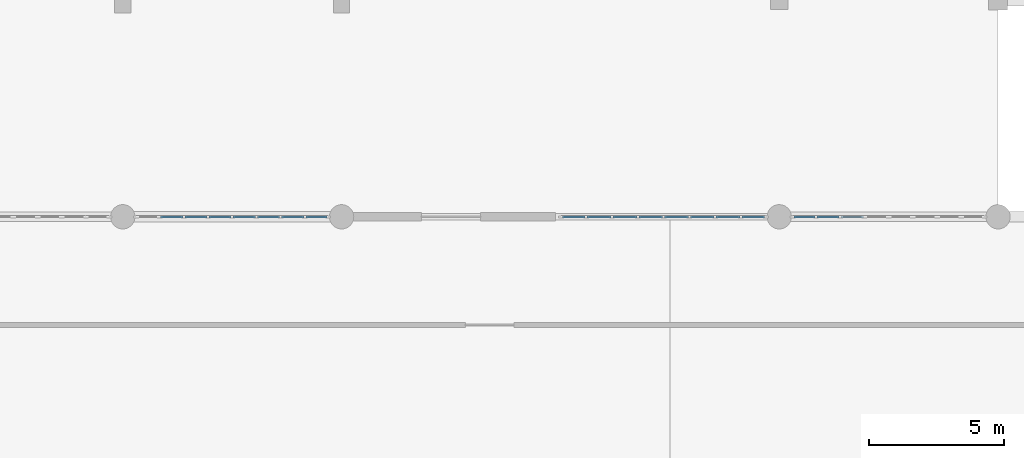
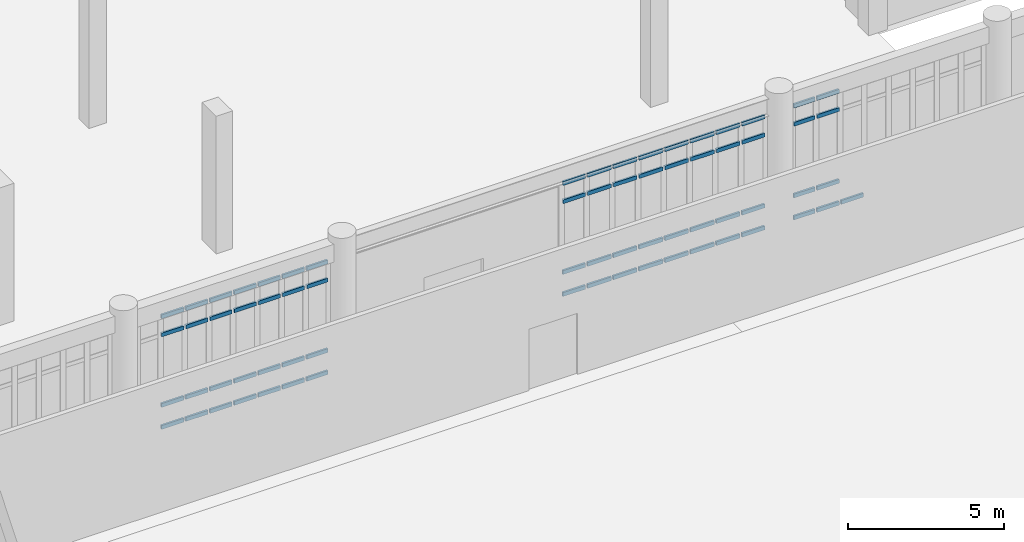
# One storey, part 21 of 62: 69 members, 3 elements without a shape of their own.
"""IFC4 building model written with IfcOpenShell, lengths in metres."""

import ifcopenshell
import ifcopenshell.guid

model = None  # the IFC model being written
_history = None  # IfcOwnerHistory: only IFC2X3 demands one
_inside = {}  # id of a spatial element -> (the spatial element, [elements in it])
_under = {}  # id of a project, library or spatial element -> (it, [spatial elements below it])
_declared = {}  # id of a project -> (the project, [libraries it declares])
_typed = {}  # id of a type object -> (the type object, [elements of that type])
_made_of = {}  # id of a material, layer set ... -> (it, [elements and type objects made of it])


def new_model(schema):
    """Start an empty IFC model of exactly this schema.

    Asked for "IFC4X3", IfcOpenShell would pick the latest addendum, in which some entities
    have other attributes; the version numbers below select the first issue.
    IFC2X3 requires an IfcOwnerHistory on every rooted entity: one is made here for all.
    """
    global model, _history
    if schema == "IFC4X3":
        model = ifcopenshell.file(schema_version=(4, 3, 0, 0))
    else:
        model = ifcopenshell.file(schema=schema)
    _inside.clear()
    _under.clear()
    _declared.clear()
    _typed.clear()
    _made_of.clear()
    _history = None
    if model.schema == "IFC2X3":
        org = make("IfcOrganization", Name="unknown")
        user = make(
            "IfcPersonAndOrganization",
            ThePerson=make("IfcPerson", FamilyName="unknown"),
            TheOrganization=org,
        )
        app = make(
            "IfcApplication",
            ApplicationDeveloper=org,
            Version="unknown",
            ApplicationFullName="unknown",
            ApplicationIdentifier="unknown",
        )
        _history = make(
            "IfcOwnerHistory",
            OwningUser=user,
            OwningApplication=app,
            ChangeAction="ADDED",
            CreationDate=0,
        )
    return model


def make(cls, **values):
    """One entity of the class cls with the attributes given. An attribute that is None is left unset."""
    return model.create_entity(
        cls, **{name: value for name, value in values.items() if value is not None}
    )


def rooted(cls, **values):
    """An entity with a GlobalId (a new one), such as an element, a storey or a relation."""
    return make(cls, GlobalId=ifcopenshell.guid.new(), OwnerHistory=_history, **values)


def si_unit(unit_type, name, prefix=None):
    """IfcSIUnit, for example si_unit("LENGTHUNIT", "METRE", prefix="MILLI")."""
    return make("IfcSIUnit", UnitType=unit_type, Prefix=prefix, Name=name)


def assignment(units):
    """IfcUnitAssignment: the units of a project."""
    return None if units is None else make("IfcUnitAssignment", Units=units)


def point(xyz):
    """IfcCartesianPoint."""
    return None if xyz is None else make("IfcCartesianPoint", Coordinates=xyz)


def direction(xyz):
    """IfcDirection."""
    return None if xyz is None else make("IfcDirection", DirectionRatios=xyz)


def frame(location, z_axis=None, x_axis=None):
    """IfcAxis2Placement3D, a coordinate frame: its origin and axes. An axis left out is left unset."""
    return make(
        "IfcAxis2Placement3D",
        Location=point(location),
        Axis=direction(z_axis),
        RefDirection=direction(x_axis),
    )


def frame_2d(location, x_axis=None):
    """IfcAxis2Placement2D, a coordinate frame in the plane: its origin and x axis."""
    return make(
        "IfcAxis2Placement2D", Location=point(location), RefDirection=direction(x_axis)
    )


def origin():
    """The frame at (0, 0, 0) with its axes left unset."""
    return frame((0.0, 0.0, 0.0))


def origin_2d():
    """The frame at (0, 0) in the plane with its x axis left unset."""
    return frame_2d((0.0, 0.0))


def place(relative_to, where):
    """IfcLocalPlacement: puts the frame where relative to a parent placement (None: the world)."""
    return make(
        "IfcLocalPlacement", PlacementRelTo=relative_to, RelativePlacement=where
    )


def context(
    kind, dimensions, precision=None, world=None, true_north=None, identifier=None
):
    """IfcGeometricRepresentationContext, for example the 3D "Model" context."""
    return make(
        "IfcGeometricRepresentationContext",
        ContextIdentifier=identifier,
        ContextType=kind,
        CoordinateSpaceDimension=dimensions,
        Precision=precision,
        WorldCoordinateSystem=world,
        TrueNorth=true_north,
    )


def subcontext(parent, identifier, kind, view, scale=None):
    """IfcGeometricRepresentationSubContext, for example "Body" below "Model"."""
    return make(
        "IfcGeometricRepresentationSubContext",
        ContextIdentifier=identifier,
        ContextType=kind,
        ParentContext=parent,
        TargetScale=scale,
        TargetView=view,
    )


def project(units=None, contexts=None):
    """IfcProject with its units and contexts."""
    return rooted(
        "IfcProject",
        Name="project",
        RepresentationContexts=contexts,
        UnitsInContext=assignment(units),
    )


def spatial(cls, under=None, at=None, **own):
    """A site, building, storey or space (cls), placed at a placement, below another one or the project."""
    s = rooted(cls, ObjectPlacement=at, **own)
    if under is not None:
        _under.setdefault(under.id(), (under, []))[1].append(s)
    return s


def profile(cls, at=None, kind="AREA", **sizes):
    """A parametric profile (cls). Its sizes go by their IFC names, for example OverallWidth=200.0."""
    return make(cls, ProfileType=kind, Position=at, **sizes)


def rectangle(**sizes):
    """IfcRectangleProfileDef."""
    return profile("IfcRectangleProfileDef", **sizes)


def extrude(swept, where, along, depth):
    """IfcExtrudedAreaSolid: the profile swept, set in the frame where, extruded along a direction by depth."""
    return make(
        "IfcExtrudedAreaSolid",
        SweptArea=swept,
        Position=where,
        ExtrudedDirection=direction(along),
        Depth=depth,
    )


def shape(context_of_items, identifier, shape_type, items):
    """IfcShapeRepresentation: the items that make up one representation, for example the "Body"."""
    return make(
        "IfcShapeRepresentation",
        ContextOfItems=context_of_items,
        RepresentationIdentifier=identifier,
        RepresentationType=shape_type,
        Items=items,
    )


def material(Name=None, Category=None):
    """IfcMaterial."""
    return make("IfcMaterial", Name=Name, Category=Category)


def material_profile(
    of_material, cross_section, Name=None, Category=None, Priority=None
):
    """IfcMaterialProfile: a cross section and its material."""
    return make(
        "IfcMaterialProfile",
        Name=Name,
        Material=of_material,
        Profile=cross_section,
        Priority=Priority,
        Category=Category,
    )


def profile_set(profiles, Name=None, composite=None):
    """IfcMaterialProfileSet."""
    return make(
        "IfcMaterialProfileSet",
        Name=Name,
        MaterialProfiles=profiles,
        CompositeProfile=composite,
    )


def made_of(thing, what):
    """Note that an element or type object is made of a material, layer set ...; save() writes the relation."""
    if what is not None:
        _made_of.setdefault(what.id(), (what, []))[1].append(thing)
    return thing


def type_object(cls, material=None, **own):
    """A type object (cls), such as IfcWallType, which elements share."""
    return made_of(rooted(cls, **own), material)


def element(
    cls,
    number,
    at=None,
    inside=None,
    cuts=None,
    type_object=None,
    material=None,
    context=None,
    identifier="Body",
    shape_type=None,
    held_by="IfcProductDefinitionShape",
    body=None,
    shapes=None,
    **own,
):
    """One element of the class cls, such as IfcWall. Its Tag is "e" and its number.

    at: its placement. inside: the storey or other place that contains it. cuts: it is an
    opening in that element (IfcRelVoidsElement). A single representation is given by context,
    identifier, shape_type and body (its items); several are given by shapes. held_by: the class
    of the entity that holds the representations. save() writes the other relations.
    """
    e = rooted(cls, Tag="e%d" % number, ObjectPlacement=at, **own)
    if body is not None:
        shapes = [shape(context, identifier, shape_type, body)]
    if shapes is not None:
        e.Representation = make(held_by, Representations=shapes)
    if inside is not None:
        _inside.setdefault(inside.id(), (inside, []))[1].append(e)
    if cuts is not None:
        rooted(
            "IfcRelVoidsElement", RelatingBuildingElement=cuts, RelatedOpeningElement=e
        )
    if type_object is not None:
        _typed.setdefault(type_object.id(), (type_object, []))[1].append(e)
    return made_of(e, material)


def aggregate(whole, parts):
    """IfcRelAggregates: a whole, such as a stair, and the parts it consists of."""
    return rooted("IfcRelAggregates", RelatingObject=whole, RelatedObjects=parts)


def save(model, path):
    """Write the relations noted so far, then the file.

    IfcRelAggregates (storeys below a building ...), IfcRelContainedInSpatialStructure (elements
    in a storey), IfcRelDefinesByType, IfcRelAssociatesMaterial and IfcRelDeclares: one each for
    every whole, place, type object, material and project.
    """
    for whole, parts in _under.values():
        aggregate(whole, parts)
    for where, things in _inside.values():
        rooted(
            "IfcRelContainedInSpatialStructure",
            RelatedElements=things,
            RelatingStructure=where,
        )
    for kind, things in _typed.values():
        rooted("IfcRelDefinesByType", RelatedObjects=things, RelatingType=kind)
    for what, things in _made_of.values():
        rooted("IfcRelAssociatesMaterial", RelatedObjects=things, RelatingMaterial=what)
    for by, libraries in _declared.values():
        rooted("IfcRelDeclares", RelatingContext=by, RelatedDefinitions=libraries)
    model.write(path)


model = new_model("IFC4")

# Units and contexts
model_context = context("Model", 3, precision=1e-05, world=origin(), true_north=direction((0.0, 1.0)))
body_context = subcontext(model_context, "Body", "Model", "MODEL_VIEW")
ifc_project = project(units=[si_unit("LENGTHUNIT", "METRE"), si_unit("AREAUNIT", "SQUARE_METRE"), si_unit("VOLUMEUNIT", "CUBIC_METRE"), si_unit("PLANEANGLEUNIT", "RADIAN"), si_unit("MASSUNIT", "GRAM", prefix="KILO")], contexts=[model_context])

# Site, building, storey
site_placement = place(None, origin())
site = spatial("IfcSite", under=ifc_project, at=site_placement, CompositionType="ELEMENT")
building_placement = place(site_placement, origin())
building = spatial("IfcBuilding", under=site, at=building_placement, Name="Tarnveldt Square Police Headquarters", CompositionType="ELEMENT")
storey_placement = place(building_placement, origin())
storey = spatial("IfcBuildingStorey", under=building, at=storey_placement, Name="L00", CompositionType="ELEMENT", Elevation=0.0)

# Curtain wall, members
ifc_material_1 = material(Name="Triple-glazed low-e laminated vision glass", Category="glass")
curtain_wall_type_1 = type_object("IfcCurtainWallType", Name="CW-CT-717x441", PredefinedType="USERDEFINED", material=ifc_material_1)
curtain_wall_1_placement = place(storey_placement, origin())
curtain_wall_1 = element("IfcCurtainWall", 1, at=curtain_wall_1_placement, inside=storey, type_object=curtain_wall_type_1, Name="L00 Curtain Wall CW-L00-015", ObjectType="GLAZED CURTAIN WALL", PredefinedType="USERDEFINED")
ifc_material_2 = material(Name="Thermally broken anodised aluminium 6063-T6", Category="aluminium")
ifc_material_profile = material_profile(ifc_material_2, rectangle(XDim=0.074951171875, YDim=0.14990234375, at=origin_2d()), Name="CW-T75x150")
ifc_profile_set = profile_set([ifc_material_profile], Name="Thermally broken anodised aluminium 6063-T6")
member_type = type_object("IfcMemberType", Name="CWT-75x150", PredefinedType="USERDEFINED", material=ifc_profile_set)
member_1_placement = place(storey_placement, frame((74.298828125, 48.0, 0.03759765625), z_axis=(1.0, 0.0, 0.0), x_axis=(0.0, 1.0, 0.0)))
member_1 = element("IfcMember", 2, at=member_1_placement, type_object=member_type, Name="CW-CT07 transom 2.1", ObjectType="TRANSOM", PredefinedType="USERDEFINED", context=body_context, shape_type="SweptSolid", body=[
    extrude(rectangle(XDim=0.074951171875, YDim=0.14990234375, at=origin_2d()), origin(), (0.0, 0.0, 1.0), 0.8212890625),
])
member_2_placement = place(storey_placement, frame((74.298828125, 48.0, 0.89990234375), z_axis=(1.0, 0.0, 0.0), x_axis=(0.0, 1.0, 0.0)))
member_2 = element("IfcMember", 3, at=member_2_placement, type_object=member_type, Name="CW-CT07 transom 2.2", ObjectType="TRANSOM", PredefinedType="USERDEFINED", context=body_context, shape_type="SweptSolid", body=[
    extrude(rectangle(XDim=0.074951171875, YDim=0.14990234375, at=origin_2d()), origin(), (0.0, 0.0, 1.0), 0.8212890625),
])
member_3_placement = place(storey_placement, frame((74.298828125, 48.0, 3.662109375), z_axis=(1.0, 0.0, 0.0), x_axis=(0.0, 1.0, 0.0)))
member_3 = element("IfcMember", 4, at=member_3_placement, type_object=member_type, Name="CW-CT07 transom 2.3", ObjectType="TRANSOM", PredefinedType="USERDEFINED", context=body_context, shape_type="SweptSolid", body=[
    extrude(rectangle(XDim=0.074951171875, YDim=0.14990234375, at=origin_2d()), origin(), (0.0, 0.0, 1.0), 0.8212890625),
])
member_4_placement = place(storey_placement, frame((74.298828125, 48.0, 4.37451171875), z_axis=(1.0, 0.0, 0.0), x_axis=(0.0, 1.0, 0.0)))
member_4 = element("IfcMember", 5, at=member_4_placement, type_object=member_type, Name="CW-CT07 transom 2.4", ObjectType="TRANSOM", PredefinedType="USERDEFINED", context=body_context, shape_type="SweptSolid", body=[
    extrude(rectangle(XDim=0.074951171875, YDim=0.14990234375, at=origin_2d()), origin(), (0.0, 0.0, 1.0), 0.8212890625),
])
member_5_placement = place(storey_placement, frame((75.195068359375, 48.0, 0.03759765625), z_axis=(1.0, 0.0, 0.0), x_axis=(0.0, 1.0, 0.0)))
member_5 = element("IfcMember", 6, at=member_5_placement, type_object=member_type, Name="CW-CT07 transom 3.1", ObjectType="TRANSOM", PredefinedType="USERDEFINED", context=body_context, shape_type="SweptSolid", body=[
    extrude(rectangle(XDim=0.074951171875, YDim=0.14990234375, at=origin_2d()), origin(), (0.0, 0.0, 1.0), 0.8212890625),
])
member_6_placement = place(storey_placement, frame((75.195068359375, 48.0, 0.89990234375), z_axis=(1.0, 0.0, 0.0), x_axis=(0.0, 1.0, 0.0)))
member_6 = element("IfcMember", 7, at=member_6_placement, type_object=member_type, Name="CW-CT07 transom 3.2", ObjectType="TRANSOM", PredefinedType="USERDEFINED", context=body_context, shape_type="SweptSolid", body=[
    extrude(rectangle(XDim=0.074951171875, YDim=0.14990234375, at=origin_2d()), origin(), (0.0, 0.0, 1.0), 0.8212890625),
])
member_7_placement = place(storey_placement, frame((75.195068359375, 48.0, 3.662109375), z_axis=(1.0, 0.0, 0.0), x_axis=(0.0, 1.0, 0.0)))
member_7 = element("IfcMember", 8, at=member_7_placement, type_object=member_type, Name="CW-CT07 transom 3.3", ObjectType="TRANSOM", PredefinedType="USERDEFINED", context=body_context, shape_type="SweptSolid", body=[
    extrude(rectangle(XDim=0.074951171875, YDim=0.14990234375, at=origin_2d()), origin(), (0.0, 0.0, 1.0), 0.8212890625),
])
member_8_placement = place(storey_placement, frame((75.195068359375, 48.0, 4.37451171875), z_axis=(1.0, 0.0, 0.0), x_axis=(0.0, 1.0, 0.0)))
member_8 = element("IfcMember", 9, at=member_8_placement, type_object=member_type, Name="CW-CT07 transom 3.4", ObjectType="TRANSOM", PredefinedType="USERDEFINED", context=body_context, shape_type="SweptSolid", body=[
    extrude(rectangle(XDim=0.074951171875, YDim=0.14990234375, at=origin_2d()), origin(), (0.0, 0.0, 1.0), 0.8212890625),
])
member_9_placement = place(storey_placement, frame((76.09130859375, 48.0, 0.03759765625), z_axis=(1.0, 0.0, 0.0), x_axis=(0.0, 1.0, 0.0)))
member_9 = element("IfcMember", 10, at=member_9_placement, type_object=member_type, Name="CW-CT07 transom 4.1", ObjectType="TRANSOM", PredefinedType="USERDEFINED", context=body_context, shape_type="SweptSolid", body=[
    extrude(rectangle(XDim=0.074951171875, YDim=0.14990234375, at=origin_2d()), origin(), (0.0, 0.0, 1.0), 0.8212890625),
])
member_10_placement = place(storey_placement, frame((76.09130859375, 48.0, 0.89990234375), z_axis=(1.0, 0.0, 0.0), x_axis=(0.0, 1.0, 0.0)))
member_10 = element("IfcMember", 11, at=member_10_placement, type_object=member_type, Name="CW-CT07 transom 4.2", ObjectType="TRANSOM", PredefinedType="USERDEFINED", context=body_context, shape_type="SweptSolid", body=[
    extrude(rectangle(XDim=0.074951171875, YDim=0.14990234375, at=origin_2d()), origin(), (0.0, 0.0, 1.0), 0.8212890625),
])
member_11_placement = place(storey_placement, frame((76.09130859375, 48.0, 3.662109375), z_axis=(1.0, 0.0, 0.0), x_axis=(0.0, 1.0, 0.0)))
member_11 = element("IfcMember", 12, at=member_11_placement, type_object=member_type, Name="CW-CT07 transom 4.3", ObjectType="TRANSOM", PredefinedType="USERDEFINED", context=body_context, shape_type="SweptSolid", body=[
    extrude(rectangle(XDim=0.074951171875, YDim=0.14990234375, at=origin_2d()), origin(), (0.0, 0.0, 1.0), 0.8212890625),
])
member_12_placement = place(storey_placement, frame((76.09130859375, 48.0, 4.37451171875), z_axis=(1.0, 0.0, 0.0), x_axis=(0.0, 1.0, 0.0)))
member_12 = element("IfcMember", 13, at=member_12_placement, type_object=member_type, Name="CW-CT07 transom 4.4", ObjectType="TRANSOM", PredefinedType="USERDEFINED", context=body_context, shape_type="SweptSolid", body=[
    extrude(rectangle(XDim=0.074951171875, YDim=0.14990234375, at=origin_2d()), origin(), (0.0, 0.0, 1.0), 0.8212890625),
])
member_13_placement = place(storey_placement, frame((76.987548828125, 48.0, 0.03759765625), z_axis=(1.0, 0.0, 0.0), x_axis=(0.0, 1.0, 0.0)))
member_13 = element("IfcMember", 14, at=member_13_placement, type_object=member_type, Name="CW-CT07 transom 5.1", ObjectType="TRANSOM", PredefinedType="USERDEFINED", context=body_context, shape_type="SweptSolid", body=[
    extrude(rectangle(XDim=0.074951171875, YDim=0.14990234375, at=origin_2d()), origin(), (0.0, 0.0, 1.0), 0.8212890625),
])
member_14_placement = place(storey_placement, frame((76.987548828125, 48.0, 0.89990234375), z_axis=(1.0, 0.0, 0.0), x_axis=(0.0, 1.0, 0.0)))
member_14 = element("IfcMember", 15, at=member_14_placement, type_object=member_type, Name="CW-CT07 transom 5.2", ObjectType="TRANSOM", PredefinedType="USERDEFINED", context=body_context, shape_type="SweptSolid", body=[
    extrude(rectangle(XDim=0.074951171875, YDim=0.14990234375, at=origin_2d()), origin(), (0.0, 0.0, 1.0), 0.8212890625),
])
member_15_placement = place(storey_placement, frame((76.987548828125, 48.0, 3.662109375), z_axis=(1.0, 0.0, 0.0), x_axis=(0.0, 1.0, 0.0)))
member_15 = element("IfcMember", 16, at=member_15_placement, type_object=member_type, Name="CW-CT07 transom 5.3", ObjectType="TRANSOM", PredefinedType="USERDEFINED", context=body_context, shape_type="SweptSolid", body=[
    extrude(rectangle(XDim=0.074951171875, YDim=0.14990234375, at=origin_2d()), origin(), (0.0, 0.0, 1.0), 0.8212890625),
])
member_16_placement = place(storey_placement, frame((76.987548828125, 48.0, 4.37451171875), z_axis=(1.0, 0.0, 0.0), x_axis=(0.0, 1.0, 0.0)))
member_16 = element("IfcMember", 17, at=member_16_placement, type_object=member_type, Name="CW-CT07 transom 5.4", ObjectType="TRANSOM", PredefinedType="USERDEFINED", context=body_context, shape_type="SweptSolid", body=[
    extrude(rectangle(XDim=0.074951171875, YDim=0.14990234375, at=origin_2d()), origin(), (0.0, 0.0, 1.0), 0.8212890625),
])
member_17_placement = place(storey_placement, frame((77.8837890625, 48.0, 0.03759765625), z_axis=(1.0, 0.0, 0.0), x_axis=(0.0, 1.0, 0.0)))
member_17 = element("IfcMember", 18, at=member_17_placement, type_object=member_type, Name="CW-CT07 transom 6.1", ObjectType="TRANSOM", PredefinedType="USERDEFINED", context=body_context, shape_type="SweptSolid", body=[
    extrude(rectangle(XDim=0.074951171875, YDim=0.14990234375, at=origin_2d()), origin(), (0.0, 0.0, 1.0), 0.8212890625),
])
member_18_placement = place(storey_placement, frame((77.8837890625, 48.0, 0.89990234375), z_axis=(1.0, 0.0, 0.0), x_axis=(0.0, 1.0, 0.0)))
member_18 = element("IfcMember", 19, at=member_18_placement, type_object=member_type, Name="CW-CT07 transom 6.2", ObjectType="TRANSOM", PredefinedType="USERDEFINED", context=body_context, shape_type="SweptSolid", body=[
    extrude(rectangle(XDim=0.074951171875, YDim=0.14990234375, at=origin_2d()), origin(), (0.0, 0.0, 1.0), 0.8212890625),
])
member_19_placement = place(storey_placement, frame((77.8837890625, 48.0, 3.662109375), z_axis=(1.0, 0.0, 0.0), x_axis=(0.0, 1.0, 0.0)))
member_19 = element("IfcMember", 20, at=member_19_placement, type_object=member_type, Name="CW-CT07 transom 6.3", ObjectType="TRANSOM", PredefinedType="USERDEFINED", context=body_context, shape_type="SweptSolid", body=[
    extrude(rectangle(XDim=0.074951171875, YDim=0.14990234375, at=origin_2d()), origin(), (0.0, 0.0, 1.0), 0.8212890625),
])
member_20_placement = place(storey_placement, frame((77.8837890625, 48.0, 4.37451171875), z_axis=(1.0, 0.0, 0.0), x_axis=(0.0, 1.0, 0.0)))
member_20 = element("IfcMember", 21, at=member_20_placement, type_object=member_type, Name="CW-CT07 transom 6.4", ObjectType="TRANSOM", PredefinedType="USERDEFINED", context=body_context, shape_type="SweptSolid", body=[
    extrude(rectangle(XDim=0.074951171875, YDim=0.14990234375, at=origin_2d()), origin(), (0.0, 0.0, 1.0), 0.8212890625),
])
member_21_placement = place(storey_placement, frame((78.780029296875, 48.0, 0.03759765625), z_axis=(1.0, 0.0, 0.0), x_axis=(0.0, 1.0, 0.0)))
member_21 = element("IfcMember", 22, at=member_21_placement, type_object=member_type, Name="CW-CT07 transom 7.1", ObjectType="TRANSOM", PredefinedType="USERDEFINED", context=body_context, shape_type="SweptSolid", body=[
    extrude(rectangle(XDim=0.074951171875, YDim=0.14990234375, at=origin_2d()), origin(), (0.0, 0.0, 1.0), 0.8212890625),
])
member_22_placement = place(storey_placement, frame((78.780029296875, 48.0, 0.89990234375), z_axis=(1.0, 0.0, 0.0), x_axis=(0.0, 1.0, 0.0)))
member_22 = element("IfcMember", 23, at=member_22_placement, type_object=member_type, Name="CW-CT07 transom 7.2", ObjectType="TRANSOM", PredefinedType="USERDEFINED", context=body_context, shape_type="SweptSolid", body=[
    extrude(rectangle(XDim=0.074951171875, YDim=0.14990234375, at=origin_2d()), origin(), (0.0, 0.0, 1.0), 0.8212890625),
])
member_23_placement = place(storey_placement, frame((78.780029296875, 48.0, 3.662109375), z_axis=(1.0, 0.0, 0.0), x_axis=(0.0, 1.0, 0.0)))
member_23 = element("IfcMember", 24, at=member_23_placement, type_object=member_type, Name="CW-CT07 transom 7.3", ObjectType="TRANSOM", PredefinedType="USERDEFINED", context=body_context, shape_type="SweptSolid", body=[
    extrude(rectangle(XDim=0.074951171875, YDim=0.14990234375, at=origin_2d()), origin(), (0.0, 0.0, 1.0), 0.8212890625),
])
member_24_placement = place(storey_placement, frame((78.780029296875, 48.0, 4.37451171875), z_axis=(1.0, 0.0, 0.0), x_axis=(0.0, 1.0, 0.0)))
member_24 = element("IfcMember", 25, at=member_24_placement, type_object=member_type, Name="CW-CT07 transom 7.4", ObjectType="TRANSOM", PredefinedType="USERDEFINED", context=body_context, shape_type="SweptSolid", body=[
    extrude(rectangle(XDim=0.074951171875, YDim=0.14990234375, at=origin_2d()), origin(), (0.0, 0.0, 1.0), 0.8212890625),
])
member_25_placement = place(storey_placement, frame((79.67626953125, 48.0, 0.03759765625), z_axis=(1.0, 0.0, 0.0), x_axis=(0.0, 1.0, 0.0)))
member_25 = element("IfcMember", 26, at=member_25_placement, type_object=member_type, Name="CW-CT07 transom 8.1", ObjectType="TRANSOM", PredefinedType="USERDEFINED", context=body_context, shape_type="SweptSolid", body=[
    extrude(rectangle(XDim=0.074951171875, YDim=0.14990234375, at=origin_2d()), origin(), (0.0, 0.0, 1.0), 0.78369140625),
])
member_26_placement = place(storey_placement, frame((79.67626953125, 48.0, 0.89990234375), z_axis=(1.0, 0.0, 0.0), x_axis=(0.0, 1.0, 0.0)))
member_26 = element("IfcMember", 27, at=member_26_placement, type_object=member_type, Name="CW-CT07 transom 8.2", ObjectType="TRANSOM", PredefinedType="USERDEFINED", context=body_context, shape_type="SweptSolid", body=[
    extrude(rectangle(XDim=0.074951171875, YDim=0.14990234375, at=origin_2d()), origin(), (0.0, 0.0, 1.0), 0.78369140625),
])
member_27_placement = place(storey_placement, frame((79.67626953125, 48.0, 3.662109375), z_axis=(1.0, 0.0, 0.0), x_axis=(0.0, 1.0, 0.0)))
member_27 = element("IfcMember", 28, at=member_27_placement, type_object=member_type, Name="CW-CT07 transom 8.3", ObjectType="TRANSOM", PredefinedType="USERDEFINED", context=body_context, shape_type="SweptSolid", body=[
    extrude(rectangle(XDim=0.074951171875, YDim=0.14990234375, at=origin_2d()), origin(), (0.0, 0.0, 1.0), 0.78369140625),
])
member_28_placement = place(storey_placement, frame((79.67626953125, 48.0, 4.37451171875), z_axis=(1.0, 0.0, 0.0), x_axis=(0.0, 1.0, 0.0)))
member_28 = element("IfcMember", 29, at=member_28_placement, type_object=member_type, Name="CW-CT07 transom 8.4", ObjectType="TRANSOM", PredefinedType="USERDEFINED", context=body_context, shape_type="SweptSolid", body=[
    extrude(rectangle(XDim=0.074951171875, YDim=0.14990234375, at=origin_2d()), origin(), (0.0, 0.0, 1.0), 0.78369140625),
])
aggregate(curtain_wall_1, [member_1, member_2, member_3, member_4, member_5, member_6, member_7, member_8, member_9, member_10, member_11, member_12, member_13, member_14, member_15, member_16, member_17, member_18, member_19, member_20, member_21, member_22, member_23, member_24, member_25, member_26, member_27, member_28])

curtain_wall_type_2 = type_object("IfcCurtainWallType", Name="CW-CT-764x442", PredefinedType="USERDEFINED", material=ifc_material_1)
curtain_wall_2_placement = place(storey_placement, origin())
curtain_wall_2 = element("IfcCurtainWall", 30, at=curtain_wall_2_placement, inside=storey, type_object=curtain_wall_type_2, Name="L00 Curtain Wall CW-L00-016", ObjectType="GLAZED CURTAIN WALL", PredefinedType="USERDEFINED")
member_29_placement = place(storey_placement, frame((89.175048828125, 48.0, 0.03759765625), z_axis=(1.0, 0.0, 0.0), x_axis=(0.0, 1.0, 0.0)))
member_29 = element("IfcMember", 31, at=member_29_placement, type_object=member_type, Name="CW-CT08 transom 1.1", ObjectType="TRANSOM", PredefinedType="USERDEFINED", context=body_context, shape_type="SweptSolid", body=[
    extrude(rectangle(XDim=0.074951171875, YDim=0.14990234375, at=origin_2d()), origin(), (0.0, 0.0, 1.0), 0.841796875),
])
member_30_placement = place(storey_placement, frame((89.175048828125, 48.0, 0.89990234375), z_axis=(1.0, 0.0, 0.0), x_axis=(0.0, 1.0, 0.0)))
member_30 = element("IfcMember", 32, at=member_30_placement, type_object=member_type, Name="CW-CT08 transom 1.2", ObjectType="TRANSOM", PredefinedType="USERDEFINED", context=body_context, shape_type="SweptSolid", body=[
    extrude(rectangle(XDim=0.074951171875, YDim=0.14990234375, at=origin_2d()), origin(), (0.0, 0.0, 1.0), 0.841796875),
])
member_31_placement = place(storey_placement, frame((89.175048828125, 48.0, 3.674072265625), z_axis=(1.0, 0.0, 0.0), x_axis=(0.0, 1.0, 0.0)))
member_31 = element("IfcMember", 33, at=member_31_placement, type_object=member_type, Name="CW-CT08 transom 1.3", ObjectType="TRANSOM", PredefinedType="USERDEFINED", context=body_context, shape_type="SweptSolid", body=[
    extrude(rectangle(XDim=0.074951171875, YDim=0.14990234375, at=origin_2d()), origin(), (0.0, 0.0, 1.0), 0.841796875),
])
member_32_placement = place(storey_placement, frame((89.175048828125, 48.0, 4.386474609375), z_axis=(1.0, 0.0, 0.0), x_axis=(0.0, 1.0, 0.0)))
member_32 = element("IfcMember", 34, at=member_32_placement, type_object=member_type, Name="CW-CT08 transom 1.4", ObjectType="TRANSOM", PredefinedType="USERDEFINED", context=body_context, shape_type="SweptSolid", body=[
    extrude(rectangle(XDim=0.074951171875, YDim=0.14990234375, at=origin_2d()), origin(), (0.0, 0.0, 1.0), 0.841796875),
])
member_33_placement = place(storey_placement, frame((90.091796875, 48.0, 0.03759765625), z_axis=(1.0, 0.0, 0.0), x_axis=(0.0, 1.0, 0.0)))
member_33 = element("IfcMember", 35, at=member_33_placement, type_object=member_type, Name="CW-CT08 transom 2.1", ObjectType="TRANSOM", PredefinedType="USERDEFINED", context=body_context, shape_type="SweptSolid", body=[
    extrude(rectangle(XDim=0.074951171875, YDim=0.14990234375, at=origin_2d()), origin(), (0.0, 0.0, 1.0), 0.87939453125),
])
member_34_placement = place(storey_placement, frame((90.091796875, 48.0, 0.89990234375), z_axis=(1.0, 0.0, 0.0), x_axis=(0.0, 1.0, 0.0)))
member_34 = element("IfcMember", 36, at=member_34_placement, type_object=member_type, Name="CW-CT08 transom 2.2", ObjectType="TRANSOM", PredefinedType="USERDEFINED", context=body_context, shape_type="SweptSolid", body=[
    extrude(rectangle(XDim=0.074951171875, YDim=0.14990234375, at=origin_2d()), origin(), (0.0, 0.0, 1.0), 0.87939453125),
])
member_35_placement = place(storey_placement, frame((90.091796875, 48.0, 3.674072265625), z_axis=(1.0, 0.0, 0.0), x_axis=(0.0, 1.0, 0.0)))
member_35 = element("IfcMember", 37, at=member_35_placement, type_object=member_type, Name="CW-CT08 transom 2.3", ObjectType="TRANSOM", PredefinedType="USERDEFINED", context=body_context, shape_type="SweptSolid", body=[
    extrude(rectangle(XDim=0.074951171875, YDim=0.14990234375, at=origin_2d()), origin(), (0.0, 0.0, 1.0), 0.87939453125),
])
member_36_placement = place(storey_placement, frame((90.091796875, 48.0, 4.386474609375), z_axis=(1.0, 0.0, 0.0), x_axis=(0.0, 1.0, 0.0)))
member_36 = element("IfcMember", 38, at=member_36_placement, type_object=member_type, Name="CW-CT08 transom 2.4", ObjectType="TRANSOM", PredefinedType="USERDEFINED", context=body_context, shape_type="SweptSolid", body=[
    extrude(rectangle(XDim=0.074951171875, YDim=0.14990234375, at=origin_2d()), origin(), (0.0, 0.0, 1.0), 0.87939453125),
])
member_37_placement = place(storey_placement, frame((91.046142578125, 48.0, 0.03759765625), z_axis=(1.0, 0.0, 0.0), x_axis=(0.0, 1.0, 0.0)))
member_37 = element("IfcMember", 39, at=member_37_placement, type_object=member_type, Name="CW-CT08 transom 3.1", ObjectType="TRANSOM", PredefinedType="USERDEFINED", context=body_context, shape_type="SweptSolid", body=[
    extrude(rectangle(XDim=0.074951171875, YDim=0.14990234375, at=origin_2d()), origin(), (0.0, 0.0, 1.0), 0.87939453125),
])
member_38_placement = place(storey_placement, frame((91.046142578125, 48.0, 0.89990234375), z_axis=(1.0, 0.0, 0.0), x_axis=(0.0, 1.0, 0.0)))
member_38 = element("IfcMember", 40, at=member_38_placement, type_object=member_type, Name="CW-CT08 transom 3.2", ObjectType="TRANSOM", PredefinedType="USERDEFINED", context=body_context, shape_type="SweptSolid", body=[
    extrude(rectangle(XDim=0.074951171875, YDim=0.14990234375, at=origin_2d()), origin(), (0.0, 0.0, 1.0), 0.87939453125),
])
member_39_placement = place(storey_placement, frame((91.046142578125, 48.0, 3.674072265625), z_axis=(1.0, 0.0, 0.0), x_axis=(0.0, 1.0, 0.0)))
member_39 = element("IfcMember", 41, at=member_39_placement, type_object=member_type, Name="CW-CT08 transom 3.3", ObjectType="TRANSOM", PredefinedType="USERDEFINED", context=body_context, shape_type="SweptSolid", body=[
    extrude(rectangle(XDim=0.074951171875, YDim=0.14990234375, at=origin_2d()), origin(), (0.0, 0.0, 1.0), 0.87939453125),
])
member_40_placement = place(storey_placement, frame((91.046142578125, 48.0, 4.386474609375), z_axis=(1.0, 0.0, 0.0), x_axis=(0.0, 1.0, 0.0)))
member_40 = element("IfcMember", 42, at=member_40_placement, type_object=member_type, Name="CW-CT08 transom 3.4", ObjectType="TRANSOM", PredefinedType="USERDEFINED", context=body_context, shape_type="SweptSolid", body=[
    extrude(rectangle(XDim=0.074951171875, YDim=0.14990234375, at=origin_2d()), origin(), (0.0, 0.0, 1.0), 0.87939453125),
])
member_41_placement = place(storey_placement, frame((92.000732421875, 48.0, 0.03759765625), z_axis=(1.0, 0.0, 0.0), x_axis=(0.0, 1.0, 0.0)))
member_41 = element("IfcMember", 43, at=member_41_placement, type_object=member_type, Name="CW-CT08 transom 4.1", ObjectType="TRANSOM", PredefinedType="USERDEFINED", context=body_context, shape_type="SweptSolid", body=[
    extrude(rectangle(XDim=0.074951171875, YDim=0.14990234375, at=origin_2d()), origin(), (0.0, 0.0, 1.0), 0.879150390625),
])
member_42_placement = place(storey_placement, frame((92.000732421875, 48.0, 0.89990234375), z_axis=(1.0, 0.0, 0.0), x_axis=(0.0, 1.0, 0.0)))
member_42 = element("IfcMember", 44, at=member_42_placement, type_object=member_type, Name="CW-CT08 transom 4.2", ObjectType="TRANSOM", PredefinedType="USERDEFINED", context=body_context, shape_type="SweptSolid", body=[
    extrude(rectangle(XDim=0.074951171875, YDim=0.14990234375, at=origin_2d()), origin(), (0.0, 0.0, 1.0), 0.879150390625),
])
member_43_placement = place(storey_placement, frame((92.000732421875, 48.0, 3.674072265625), z_axis=(1.0, 0.0, 0.0), x_axis=(0.0, 1.0, 0.0)))
member_43 = element("IfcMember", 45, at=member_43_placement, type_object=member_type, Name="CW-CT08 transom 4.3", ObjectType="TRANSOM", PredefinedType="USERDEFINED", context=body_context, shape_type="SweptSolid", body=[
    extrude(rectangle(XDim=0.074951171875, YDim=0.14990234375, at=origin_2d()), origin(), (0.0, 0.0, 1.0), 0.879150390625),
])
member_44_placement = place(storey_placement, frame((92.000732421875, 48.0, 4.386474609375), z_axis=(1.0, 0.0, 0.0), x_axis=(0.0, 1.0, 0.0)))
member_44 = element("IfcMember", 46, at=member_44_placement, type_object=member_type, Name="CW-CT08 transom 4.4", ObjectType="TRANSOM", PredefinedType="USERDEFINED", context=body_context, shape_type="SweptSolid", body=[
    extrude(rectangle(XDim=0.074951171875, YDim=0.14990234375, at=origin_2d()), origin(), (0.0, 0.0, 1.0), 0.879150390625),
])
member_45_placement = place(storey_placement, frame((92.955078125, 48.0, 0.03759765625), z_axis=(1.0, 0.0, 0.0), x_axis=(0.0, 1.0, 0.0)))
member_45 = element("IfcMember", 47, at=member_45_placement, type_object=member_type, Name="CW-CT08 transom 5.1", ObjectType="TRANSOM", PredefinedType="USERDEFINED", context=body_context, shape_type="SweptSolid", body=[
    extrude(rectangle(XDim=0.074951171875, YDim=0.14990234375, at=origin_2d()), origin(), (0.0, 0.0, 1.0), 0.87939453125),
])
member_46_placement = place(storey_placement, frame((92.955078125, 48.0, 0.89990234375), z_axis=(1.0, 0.0, 0.0), x_axis=(0.0, 1.0, 0.0)))
member_46 = element("IfcMember", 48, at=member_46_placement, type_object=member_type, Name="CW-CT08 transom 5.2", ObjectType="TRANSOM", PredefinedType="USERDEFINED", context=body_context, shape_type="SweptSolid", body=[
    extrude(rectangle(XDim=0.074951171875, YDim=0.14990234375, at=origin_2d()), origin(), (0.0, 0.0, 1.0), 0.87939453125),
])
member_47_placement = place(storey_placement, frame((92.955078125, 48.0, 3.674072265625), z_axis=(1.0, 0.0, 0.0), x_axis=(0.0, 1.0, 0.0)))
member_47 = element("IfcMember", 49, at=member_47_placement, type_object=member_type, Name="CW-CT08 transom 5.3", ObjectType="TRANSOM", PredefinedType="USERDEFINED", context=body_context, shape_type="SweptSolid", body=[
    extrude(rectangle(XDim=0.074951171875, YDim=0.14990234375, at=origin_2d()), origin(), (0.0, 0.0, 1.0), 0.87939453125),
])
member_48_placement = place(storey_placement, frame((92.955078125, 48.0, 4.386474609375), z_axis=(1.0, 0.0, 0.0), x_axis=(0.0, 1.0, 0.0)))
member_48 = element("IfcMember", 50, at=member_48_placement, type_object=member_type, Name="CW-CT08 transom 5.4", ObjectType="TRANSOM", PredefinedType="USERDEFINED", context=body_context, shape_type="SweptSolid", body=[
    extrude(rectangle(XDim=0.074951171875, YDim=0.14990234375, at=origin_2d()), origin(), (0.0, 0.0, 1.0), 0.87939453125),
])
member_49_placement = place(storey_placement, frame((93.909423828125, 48.0, 0.03759765625), z_axis=(1.0, 0.0, 0.0), x_axis=(0.0, 1.0, 0.0)))
member_49 = element("IfcMember", 51, at=member_49_placement, type_object=member_type, Name="CW-CT08 transom 6.1", ObjectType="TRANSOM", PredefinedType="USERDEFINED", context=body_context, shape_type="SweptSolid", body=[
    extrude(rectangle(XDim=0.074951171875, YDim=0.14990234375, at=origin_2d()), origin(), (0.0, 0.0, 1.0), 0.87939453125),
])
member_50_placement = place(storey_placement, frame((93.909423828125, 48.0, 0.89990234375), z_axis=(1.0, 0.0, 0.0), x_axis=(0.0, 1.0, 0.0)))
member_50 = element("IfcMember", 52, at=member_50_placement, type_object=member_type, Name="CW-CT08 transom 6.2", ObjectType="TRANSOM", PredefinedType="USERDEFINED", context=body_context, shape_type="SweptSolid", body=[
    extrude(rectangle(XDim=0.074951171875, YDim=0.14990234375, at=origin_2d()), origin(), (0.0, 0.0, 1.0), 0.87939453125),
])
member_51_placement = place(storey_placement, frame((93.909423828125, 48.0, 3.674072265625), z_axis=(1.0, 0.0, 0.0), x_axis=(0.0, 1.0, 0.0)))
member_51 = element("IfcMember", 53, at=member_51_placement, type_object=member_type, Name="CW-CT08 transom 6.3", ObjectType="TRANSOM", PredefinedType="USERDEFINED", context=body_context, shape_type="SweptSolid", body=[
    extrude(rectangle(XDim=0.074951171875, YDim=0.14990234375, at=origin_2d()), origin(), (0.0, 0.0, 1.0), 0.87939453125),
])
member_52_placement = place(storey_placement, frame((93.909423828125, 48.0, 4.386474609375), z_axis=(1.0, 0.0, 0.0), x_axis=(0.0, 1.0, 0.0)))
member_52 = element("IfcMember", 54, at=member_52_placement, type_object=member_type, Name="CW-CT08 transom 6.4", ObjectType="TRANSOM", PredefinedType="USERDEFINED", context=body_context, shape_type="SweptSolid", body=[
    extrude(rectangle(XDim=0.074951171875, YDim=0.14990234375, at=origin_2d()), origin(), (0.0, 0.0, 1.0), 0.87939453125),
])
member_53_placement = place(storey_placement, frame((94.86376953125, 48.0, 0.03759765625), z_axis=(1.0, 0.0, 0.0), x_axis=(0.0, 1.0, 0.0)))
member_53 = element("IfcMember", 55, at=member_53_placement, type_object=member_type, Name="CW-CT08 transom 7.1", ObjectType="TRANSOM", PredefinedType="USERDEFINED", context=body_context, shape_type="SweptSolid", body=[
    extrude(rectangle(XDim=0.074951171875, YDim=0.14990234375, at=origin_2d()), origin(), (0.0, 0.0, 1.0), 0.87939453125),
])
member_54_placement = place(storey_placement, frame((94.86376953125, 48.0, 0.89990234375), z_axis=(1.0, 0.0, 0.0), x_axis=(0.0, 1.0, 0.0)))
member_54 = element("IfcMember", 56, at=member_54_placement, type_object=member_type, Name="CW-CT08 transom 7.2", ObjectType="TRANSOM", PredefinedType="USERDEFINED", context=body_context, shape_type="SweptSolid", body=[
    extrude(rectangle(XDim=0.074951171875, YDim=0.14990234375, at=origin_2d()), origin(), (0.0, 0.0, 1.0), 0.87939453125),
])
member_55_placement = place(storey_placement, frame((94.86376953125, 48.0, 3.674072265625), z_axis=(1.0, 0.0, 0.0), x_axis=(0.0, 1.0, 0.0)))
member_55 = element("IfcMember", 57, at=member_55_placement, type_object=member_type, Name="CW-CT08 transom 7.3", ObjectType="TRANSOM", PredefinedType="USERDEFINED", context=body_context, shape_type="SweptSolid", body=[
    extrude(rectangle(XDim=0.074951171875, YDim=0.14990234375, at=origin_2d()), origin(), (0.0, 0.0, 1.0), 0.87939453125),
])
member_56_placement = place(storey_placement, frame((94.86376953125, 48.0, 4.386474609375), z_axis=(1.0, 0.0, 0.0), x_axis=(0.0, 1.0, 0.0)))
member_56 = element("IfcMember", 58, at=member_56_placement, type_object=member_type, Name="CW-CT08 transom 7.4", ObjectType="TRANSOM", PredefinedType="USERDEFINED", context=body_context, shape_type="SweptSolid", body=[
    extrude(rectangle(XDim=0.074951171875, YDim=0.14990234375, at=origin_2d()), origin(), (0.0, 0.0, 1.0), 0.87939453125),
])
member_57_placement = place(storey_placement, frame((95.818115234375, 48.0, 0.03759765625), z_axis=(1.0, 0.0, 0.0), x_axis=(0.0, 1.0, 0.0)))
member_57 = element("IfcMember", 59, at=member_57_placement, type_object=member_type, Name="CW-CT08 transom 8.1", ObjectType="TRANSOM", PredefinedType="USERDEFINED", context=body_context, shape_type="SweptSolid", body=[
    extrude(rectangle(XDim=0.074951171875, YDim=0.14990234375, at=origin_2d()), origin(), (0.0, 0.0, 1.0), 0.841796875),
])
member_58_placement = place(storey_placement, frame((95.818115234375, 48.0, 0.89990234375), z_axis=(1.0, 0.0, 0.0), x_axis=(0.0, 1.0, 0.0)))
member_58 = element("IfcMember", 60, at=member_58_placement, type_object=member_type, Name="CW-CT08 transom 8.2", ObjectType="TRANSOM", PredefinedType="USERDEFINED", context=body_context, shape_type="SweptSolid", body=[
    extrude(rectangle(XDim=0.074951171875, YDim=0.14990234375, at=origin_2d()), origin(), (0.0, 0.0, 1.0), 0.841796875),
])
member_59_placement = place(storey_placement, frame((95.818115234375, 48.0, 3.674072265625), z_axis=(1.0, 0.0, 0.0), x_axis=(0.0, 1.0, 0.0)))
member_59 = element("IfcMember", 61, at=member_59_placement, type_object=member_type, Name="CW-CT08 transom 8.3", ObjectType="TRANSOM", PredefinedType="USERDEFINED", context=body_context, shape_type="SweptSolid", body=[
    extrude(rectangle(XDim=0.074951171875, YDim=0.14990234375, at=origin_2d()), origin(), (0.0, 0.0, 1.0), 0.841796875),
])
member_60_placement = place(storey_placement, frame((95.818115234375, 48.0, 4.386474609375), z_axis=(1.0, 0.0, 0.0), x_axis=(0.0, 1.0, 0.0)))
member_60 = element("IfcMember", 62, at=member_60_placement, type_object=member_type, Name="CW-CT08 transom 8.4", ObjectType="TRANSOM", PredefinedType="USERDEFINED", context=body_context, shape_type="SweptSolid", body=[
    extrude(rectangle(XDim=0.074951171875, YDim=0.14990234375, at=origin_2d()), origin(), (0.0, 0.0, 1.0), 0.841796875),
])
aggregate(curtain_wall_2, [member_29, member_30, member_31, member_32, member_33, member_34, member_35, member_36, member_37, member_38, member_39, member_40, member_41, member_42, member_43, member_44, member_45, member_46, member_47, member_48, member_49, member_50, member_51, member_52, member_53, member_54, member_55, member_56, member_57, member_58, member_59, member_60])

curtain_wall_type_3 = type_object("IfcCurtainWallType", Name="CW-CT-717x446", PredefinedType="USERDEFINED", material=ifc_material_1)
curtain_wall_3_placement = place(storey_placement, origin())
curtain_wall_3 = element("IfcCurtainWall", 63, at=curtain_wall_3_placement, inside=storey, type_object=curtain_wall_type_3, Name="L00 Curtain Wall CW-L00-017", ObjectType="GLAZED CURTAIN WALL", PredefinedType="USERDEFINED")
member_61_placement = place(storey_placement, frame((97.739990234375, 48.0, 0.03759765625), z_axis=(1.0, 0.0, 0.0), x_axis=(0.0, 1.0, 0.0)))
member_61 = element("IfcMember", 64, at=member_61_placement, type_object=member_type, Name="CW-CT06 transom 1.1", ObjectType="TRANSOM", PredefinedType="USERDEFINED", context=body_context, shape_type="SweptSolid", body=[
    extrude(rectangle(XDim=0.074951171875, YDim=0.14990234375, at=origin_2d()), origin(), (0.0, 0.0, 1.0), 0.78369140625),
])
member_62_placement = place(storey_placement, frame((97.739990234375, 48.0, 0.89990234375), z_axis=(1.0, 0.0, 0.0), x_axis=(0.0, 1.0, 0.0)))
member_62 = element("IfcMember", 65, at=member_62_placement, type_object=member_type, Name="CW-CT06 transom 1.2", ObjectType="TRANSOM", PredefinedType="USERDEFINED", context=body_context, shape_type="SweptSolid", body=[
    extrude(rectangle(XDim=0.074951171875, YDim=0.14990234375, at=origin_2d()), origin(), (0.0, 0.0, 1.0), 0.78369140625),
])
member_63_placement = place(storey_placement, frame((97.739990234375, 48.0, 3.7119140625), z_axis=(1.0, 0.0, 0.0), x_axis=(0.0, 1.0, 0.0)))
member_63 = element("IfcMember", 66, at=member_63_placement, type_object=member_type, Name="CW-CT06 transom 1.3", ObjectType="TRANSOM", PredefinedType="USERDEFINED", context=body_context, shape_type="SweptSolid", body=[
    extrude(rectangle(XDim=0.074951171875, YDim=0.14990234375, at=origin_2d()), origin(), (0.0, 0.0, 1.0), 0.78369140625),
])
member_64_placement = place(storey_placement, frame((97.739990234375, 48.0, 4.424560546875), z_axis=(1.0, 0.0, 0.0), x_axis=(0.0, 1.0, 0.0)))
member_64 = element("IfcMember", 67, at=member_64_placement, type_object=member_type, Name="CW-CT06 transom 1.4", ObjectType="TRANSOM", PredefinedType="USERDEFINED", context=body_context, shape_type="SweptSolid", body=[
    extrude(rectangle(XDim=0.074951171875, YDim=0.14990234375, at=origin_2d()), origin(), (0.0, 0.0, 1.0), 0.78369140625),
])
member_65_placement = place(storey_placement, frame((98.5986328125, 48.0, 0.03759765625), z_axis=(1.0, 0.0, 0.0), x_axis=(0.0, 1.0, 0.0)))
member_65 = element("IfcMember", 68, at=member_65_placement, type_object=member_type, Name="CW-CT06 transom 2.1", ObjectType="TRANSOM", PredefinedType="USERDEFINED", context=body_context, shape_type="SweptSolid", body=[
    extrude(rectangle(XDim=0.074951171875, YDim=0.14990234375, at=origin_2d()), origin(), (0.0, 0.0, 1.0), 0.8212890625),
])
member_66_placement = place(storey_placement, frame((98.5986328125, 48.0, 0.89990234375), z_axis=(1.0, 0.0, 0.0), x_axis=(0.0, 1.0, 0.0)))
member_66 = element("IfcMember", 69, at=member_66_placement, type_object=member_type, Name="CW-CT06 transom 2.2", ObjectType="TRANSOM", PredefinedType="USERDEFINED", context=body_context, shape_type="SweptSolid", body=[
    extrude(rectangle(XDim=0.074951171875, YDim=0.14990234375, at=origin_2d()), origin(), (0.0, 0.0, 1.0), 0.8212890625),
])
member_67_placement = place(storey_placement, frame((98.5986328125, 48.0, 3.7119140625), z_axis=(1.0, 0.0, 0.0), x_axis=(0.0, 1.0, 0.0)))
member_67 = element("IfcMember", 70, at=member_67_placement, type_object=member_type, Name="CW-CT06 transom 2.3", ObjectType="TRANSOM", PredefinedType="USERDEFINED", context=body_context, shape_type="SweptSolid", body=[
    extrude(rectangle(XDim=0.074951171875, YDim=0.14990234375, at=origin_2d()), origin(), (0.0, 0.0, 1.0), 0.8212890625),
])
member_68_placement = place(storey_placement, frame((98.5986328125, 48.0, 4.424560546875), z_axis=(1.0, 0.0, 0.0), x_axis=(0.0, 1.0, 0.0)))
member_68 = element("IfcMember", 71, at=member_68_placement, type_object=member_type, Name="CW-CT06 transom 2.4", ObjectType="TRANSOM", PredefinedType="USERDEFINED", context=body_context, shape_type="SweptSolid", body=[
    extrude(rectangle(XDim=0.074951171875, YDim=0.14990234375, at=origin_2d()), origin(), (0.0, 0.0, 1.0), 0.8212890625),
])
member_69_placement = place(storey_placement, frame((99.4951171875, 48.0, 0.03759765625), z_axis=(1.0, 0.0, 0.0), x_axis=(0.0, 1.0, 0.0)))
member_69 = element("IfcMember", 72, at=member_69_placement, type_object=member_type, Name="CW-CT06 transom 3.1", ObjectType="TRANSOM", PredefinedType="USERDEFINED", context=body_context, shape_type="SweptSolid", body=[
    extrude(rectangle(XDim=0.074951171875, YDim=0.14990234375, at=origin_2d()), origin(), (0.0, 0.0, 1.0), 0.821044921875),
])
aggregate(curtain_wall_3, [member_61, member_62, member_63, member_64, member_65, member_66, member_67, member_68, member_69])

save(model, "model.ifc")
